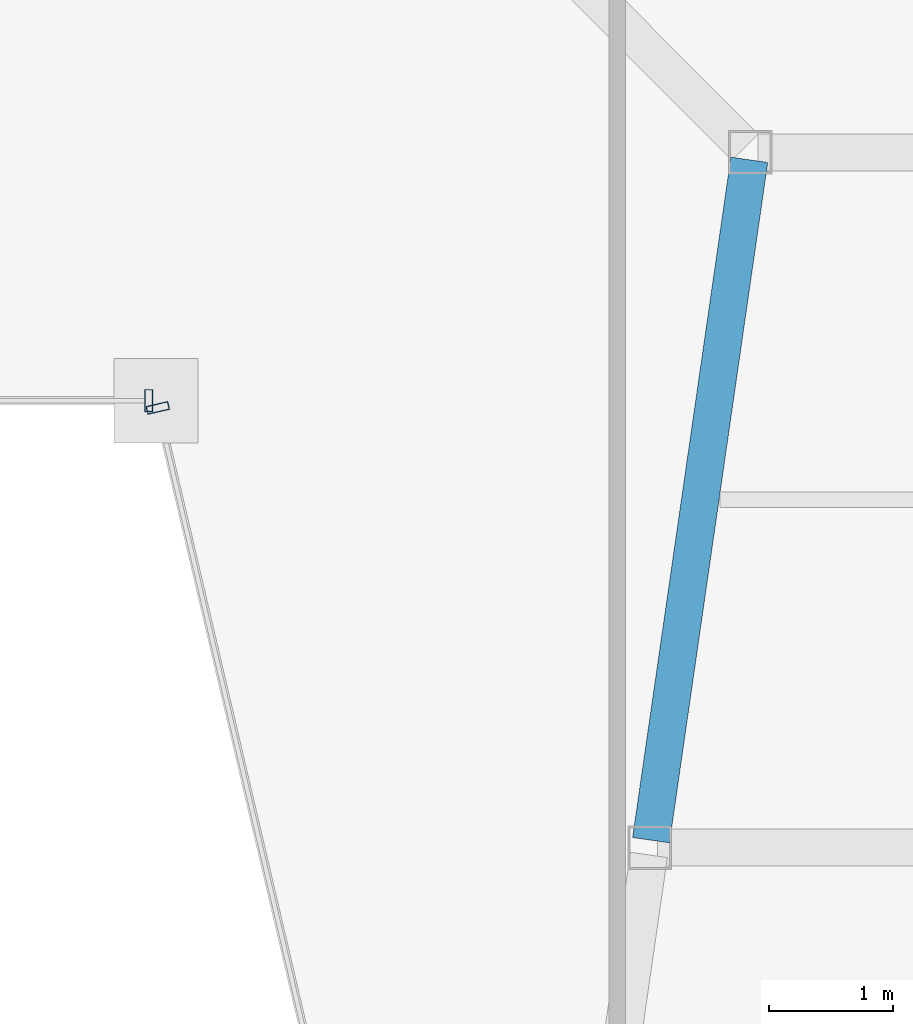
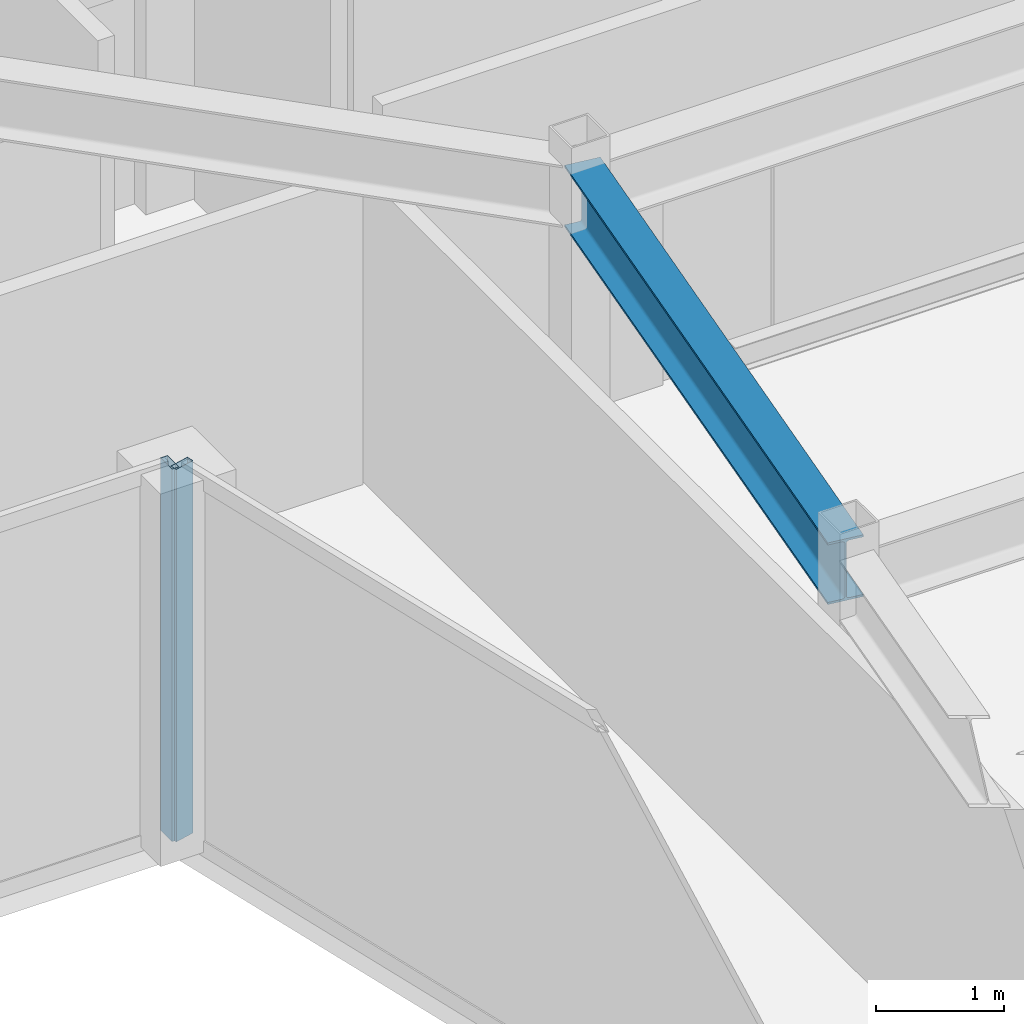
# One storey, part 15 of 32: 2 members, 1 beam, 2 elements without a shape of their own.
"""IFC4 building model written with IfcOpenShell, lengths in metres."""

from ifc_helpers import new_model, si_unit, direction, frame, origin, origin_2d, place, context, subcontext, project, spatial, hollow_rectangle, i_section, extrude, material, material_profile, profile_set, type_object, element, aggregate, save


model = new_model("IFC4")

# Units and contexts
model_context = context("Model", 3, precision=1e-05, world=origin(), true_north=direction((0.0, 1.0)))
body_context = subcontext(model_context, "Body", "Model", "MODEL_VIEW")
ifc_project = project(units=[si_unit("LENGTHUNIT", "METRE"), si_unit("AREAUNIT", "SQUARE_METRE"), si_unit("VOLUMEUNIT", "CUBIC_METRE"), si_unit("PLANEANGLEUNIT", "RADIAN"), si_unit("MASSUNIT", "GRAM", prefix="KILO")], contexts=[model_context])

# Site, building, storey
site_placement = place(None, origin())
site = spatial("IfcSite", under=ifc_project, at=site_placement, CompositionType="ELEMENT")
building_placement = place(site_placement, origin())
building = spatial("IfcBuilding", under=site, at=building_placement, Name="Saevonmaru Cultural Tower", CompositionType="ELEMENT")
storey_placement = place(building_placement, frame((0.0, 0.0, 257.199951171875)))
storey = spatial("IfcBuildingStorey", under=building, at=storey_placement, Name="L60", CompositionType="ELEMENT", Elevation=257.199951171875)

# Beam
ifc_material_1 = material(Name="Steel SM355", Category="steel")
ifc_material_profile_1 = material_profile(ifc_material_1, i_section(OverallWidth=0.300048828125, OverallDepth=0.587890625, WebThickness=0.011962890625, FlangeThickness=0.02001953125, FilletRadius=0.02392578125, at=origin_2d()), Name="H-588x300x12x20")
ifc_profile_set_1 = profile_set([ifc_material_profile_1], Name="Steel SM355")
beam_type = type_object("IfcBeamType", Name="BM-G-H588", PredefinedType="BEAM", material=ifc_profile_set_1)
beam_placement = place(storey_placement, frame((40.3916015625, 32.059326171875, 3.256103515625), z_axis=(0.142964121327, 0.989727871697, 0.0), x_axis=(-0.989727871697, 0.142964121327, 0.0)))
element("IfcBeam", 1, at=beam_placement, inside=storey, type_object=beam_type, Name="L60 East Atrium Girder 2", PredefinedType="BEAM", context=body_context, shape_type="SweptSolid", body=[
    extrude(i_section(OverallWidth=0.300048828125, OverallDepth=0.587890625, WebThickness=0.011962890625, FlangeThickness=0.02001953125, FilletRadius=0.02392578125, at=origin_2d()), origin(), (0.0, 0.0, 1.0), 5.5380859375),
])

# Curtain wall, member
ifc_material_2 = material(Name="Satin Bronze Anodised Aluminium", Category="aluminium")
curtain_wall_type = type_object("IfcCurtainWallType", Name="CW-TYP-B", PredefinedType="NOTDEFINED", material=ifc_material_2)
curtain_wall_1_placement = place(storey_placement, origin())
curtain_wall_1 = element("IfcCurtainWall", 2, at=curtain_wall_1_placement, inside=storey, type_object=curtain_wall_type, Name="L60 Unitised Curtain Wall E4", PredefinedType="NOTDEFINED")
ifc_material_profile_2 = material_profile(ifc_material_2, hollow_rectangle(XDim=0.06494140625, YDim=0.179931640625, WallThickness=0.00390625, at=origin_2d()), Name="ALU-MULL-180x65x4")
ifc_profile_set_2 = profile_set([ifc_material_profile_2], Name="Satin Bronze Anodised Aluminium")
member_type = type_object("IfcMemberType", Name="ML-CW-180x65", PredefinedType="MULLION", material=ifc_profile_set_2)
member_1_placement = place(storey_placement, frame((36.344482421875, 35.60009765625, 0.0), z_axis=(0.0, 0.0, 1.0), x_axis=(1.0, 0.0, 0.0)))
member_1 = element("IfcMember", 3, at=member_1_placement, type_object=member_type, Name="CW-TW-L60-E4 mullion 2", PredefinedType="MULLION", context=body_context, shape_type="SweptSolid", body=[
    extrude(hollow_rectangle(XDim=0.06494140625, YDim=0.179931640625, WallThickness=0.00390625, at=origin_2d()), origin(), (0.0, 0.0, 1.0), 3.550048828125),
])
aggregate(curtain_wall_1, [member_1])

curtain_wall_2_placement = place(storey_placement, origin())
curtain_wall_2 = element("IfcCurtainWall", 4, at=curtain_wall_2_placement, inside=storey, type_object=curtain_wall_type, Name="L60 Unitised Curtain Wall E5", PredefinedType="NOTDEFINED")
member_2_placement = place(storey_placement, frame((36.418212890625, 35.54150390625, 0.0), z_axis=(0.0, 0.0, 1.0), x_axis=(0.228189509449, -0.973616735568, 0.0)))
member_2 = element("IfcMember", 5, at=member_2_placement, type_object=member_type, Name="CW-TW-L60-E5 mullion 1", PredefinedType="MULLION", context=body_context, shape_type="SweptSolid", body=[
    extrude(hollow_rectangle(XDim=0.06494140625, YDim=0.179931640625, WallThickness=0.00390625, at=origin_2d()), origin(), (0.0, 0.0, 1.0), 3.550048828125),
])
aggregate(curtain_wall_2, [member_2])

save(model, "model.ifc")
